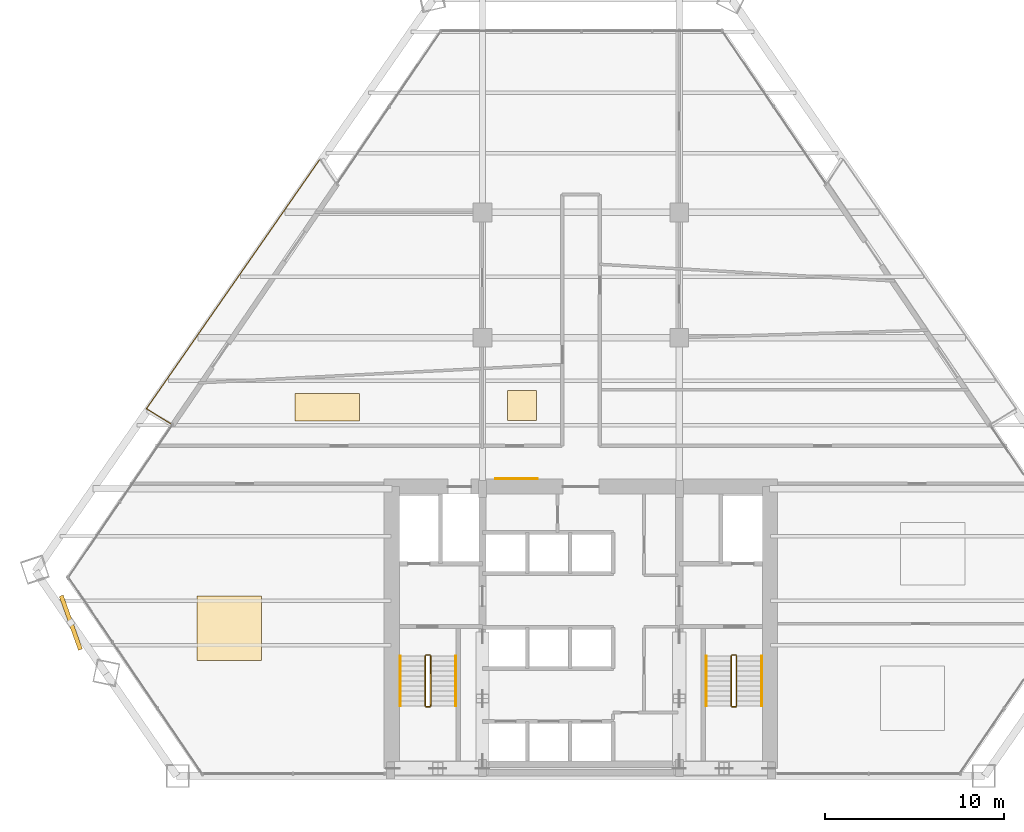
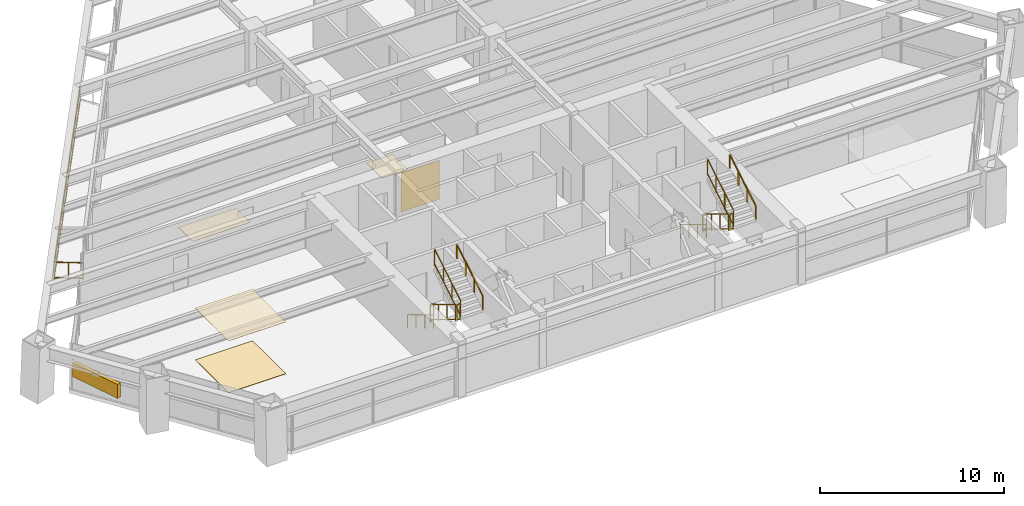
# One storey, part 13 of 14: 14 railings, 5 coverings, 1 shading device.
"""IFC4 building model written with IfcOpenShell, lengths in metres."""

from ifc_helpers import new_model, si_unit, direction, frame, origin, origin_2d, place, context, subcontext, project, spatial, rectangle, extrude, source, transform, mapped, material, layer, layer_set, type_object, type_shapes, element, save


model = new_model("IFC4")

# Units and contexts
model_context = context("Model", 3, precision=1e-05, world=origin(), true_north=direction((0.0, 1.0)))
body_context = subcontext(model_context, "Body", "Model", "MODEL_VIEW")
ifc_project = project(units=[si_unit("LENGTHUNIT", "METRE"), si_unit("AREAUNIT", "SQUARE_METRE"), si_unit("VOLUMEUNIT", "CUBIC_METRE"), si_unit("PLANEANGLEUNIT", "RADIAN"), si_unit("MASSUNIT", "GRAM", prefix="KILO")], contexts=[model_context])

# Site, building, storey
site_placement = place(None, origin())
site = spatial("IfcSite", under=ifc_project, at=site_placement, CompositionType="ELEMENT")
building_placement = place(site_placement, origin())
building = spatial("IfcBuilding", under=site, at=building_placement, Name="Varnakhor Terracotta Tower", CompositionType="ELEMENT")
storey_placement = place(building_placement, frame((0.0, 0.0, 31.199951171875)))
storey = spatial("IfcBuildingStorey", under=building, at=storey_placement, Name="L06", CompositionType="ELEMENT", Elevation=31.199951171875)

# Railings
ifc_material_1 = material(Name="Stainless Steel & Laminated Glass Guardrail", Category="steel")
railing_type_1 = type_object("IfcRailingType", Name="RLG-LOGGIA-GUARD-1150", PredefinedType="GUARDRAIL", material=ifc_material_1)
railing_1_placement = place(storey_placement, frame((-22.9326171875, 19.690185546875, 0.0)))
element("IfcRailing", 1, at=railing_1_placement, inside=storey, type_object=railing_type_1, Name="L06 W Loggia Glass Guard 1", PredefinedType="GUARDRAIL", context=body_context, shape_type="SweptSolid", body=[
    extrude(rectangle(XDim=0.048095703125, YDim=0.048095703125, at=origin_2d()), frame((0.0, 0.0, 1.1259765625), z_axis=(-0.849393262667, 0.527760443133, 0.0), x_axis=(-0.527760443133, -0.849393262667, 0.0)), (0.0, 0.0, 1.0), 1.589599609375),
    extrude(rectangle(XDim=0.048095703125, YDim=0.048095703125, at=origin_2d()), frame((0.0, 0.0, 0.10009765625), z_axis=(-0.849393262667, 0.527760443133, 0.0), x_axis=(-0.527760443133, -0.849393262667, 0.0)), (0.0, 0.0, 1.0), 1.589599609375),
    extrude(rectangle(XDim=0.0419921875, YDim=0.0419921875, at=origin_2d()), origin(), (0.0, 0.0, 1.0), 1.101806640625),
    extrude(rectangle(XDim=0.0419921875, YDim=0.0419921875, at=origin_2d()), frame((-0.675048828125, 0.41943359375, 0.0)), (0.0, 0.0, 1.0), 1.101806640625),
    extrude(rectangle(XDim=0.0419921875, YDim=0.0419921875, at=origin_2d()), frame((-1.35009765625, 0.8388671875, 0.0)), (0.0, 0.0, 1.0), 1.101806640625),
])
railing_2_placement = place(storey_placement, frame((-24.28271484375, 20.529052734375, 0.0)))
element("IfcRailing", 2, at=railing_2_placement, inside=storey, type_object=railing_type_1, Name="L06 W Loggia Glass Guard 2", PredefinedType="GUARDRAIL", context=body_context, shape_type="SweptSolid", body=[
    extrude(rectangle(XDim=0.048095703125, YDim=0.048095703125, at=origin_2d()), frame((0.0, 0.0, 1.1259765625), z_axis=(0.570859186194, 0.821047982482, 0.0), x_axis=(-0.821047982482, 0.570859186194, 0.0)), (0.0, 0.0, 1.0), 16.9697265625),
    extrude(rectangle(XDim=0.048095703125, YDim=0.048095703125, at=origin_2d()), frame((0.0, 0.0, 0.10009765625), z_axis=(0.570859186194, 0.821047982482, 0.0), x_axis=(-0.821047982482, 0.570859186194, 0.0)), (0.0, 0.0, 1.0), 16.9697265625),
    extrude(rectangle(XDim=0.0419921875, YDim=0.0419921875, at=origin_2d()), origin(), (0.0, 0.0, 1.0), 1.101806640625),
    extrude(rectangle(XDim=0.0419921875, YDim=0.0419921875, at=origin_2d()), frame((0.7451171875, 1.07177734375, 0.0)), (0.0, 0.0, 1.0), 1.101806640625),
    extrude(rectangle(XDim=0.0419921875, YDim=0.0419921875, at=origin_2d()), frame((1.490234375, 2.1435546875, 0.0)), (0.0, 0.0, 1.0), 1.101806640625),
    extrude(rectangle(XDim=0.0419921875, YDim=0.0419921875, at=origin_2d()), frame((2.235595703125, 3.21533203125, 0.0)), (0.0, 0.0, 1.0), 1.101806640625),
    extrude(rectangle(XDim=0.0419921875, YDim=0.0419921875, at=origin_2d()), frame((2.980712890625, 4.287109375, 0.0)), (0.0, 0.0, 1.0), 1.101806640625),
    extrude(rectangle(XDim=0.0419921875, YDim=0.0419921875, at=origin_2d()), frame((3.725830078125, 5.35888671875, 0.0)), (0.0, 0.0, 1.0), 1.101806640625),
    extrude(rectangle(XDim=0.0419921875, YDim=0.0419921875, at=origin_2d()), frame((4.470947265625, 6.4306640625, 0.0)), (0.0, 0.0, 1.0), 1.101806640625),
    extrude(rectangle(XDim=0.0419921875, YDim=0.0419921875, at=origin_2d()), frame((5.21630859375, 7.502197265625, 0.0)), (0.0, 0.0, 1.0), 1.101806640625),
    extrude(rectangle(XDim=0.0419921875, YDim=0.0419921875, at=origin_2d()), frame((5.96142578125, 8.573974609375, 0.0)), (0.0, 0.0, 1.0), 1.101806640625),
    extrude(rectangle(XDim=0.0419921875, YDim=0.0419921875, at=origin_2d()), frame((6.70654296875, 9.645751953125, 0.0)), (0.0, 0.0, 1.0), 1.101806640625),
    extrude(rectangle(XDim=0.0419921875, YDim=0.0419921875, at=origin_2d()), frame((7.45166015625, 10.717529296875, 0.0)), (0.0, 0.0, 1.0), 1.101806640625),
    extrude(rectangle(XDim=0.0419921875, YDim=0.0419921875, at=origin_2d()), frame((8.197021484375, 11.789306640625, 0.0)), (0.0, 0.0, 1.0), 1.101806640625),
    extrude(rectangle(XDim=0.0419921875, YDim=0.0419921875, at=origin_2d()), frame((8.942138671875, 12.861083984375, 0.0)), (0.0, 0.0, 1.0), 1.101806640625),
    extrude(rectangle(XDim=0.0419921875, YDim=0.0419921875, at=origin_2d()), frame((9.687255859375, 13.932861328125, 0.0)), (0.0, 0.0, 1.0), 1.101806640625),
])
ifc_material_2 = material(Name="Painted Steel Stairwell Guardrail", Category="steel")
railing_type_2 = type_object("IfcRailingType", Name="RLG-STAIR-GUARD-1120", PredefinedType="GUARDRAIL", material=ifc_material_2)
railing_3_placement = place(storey_placement, frame((-8.699951171875, 6.7099609375, 0.168212890625)))
element("IfcRailing", 3, at=railing_3_placement, inside=storey, type_object=railing_type_2, Name="L06 ST-1 stair guard 1", PredefinedType="GUARDRAIL", context=body_context, shape_type="SweptSolid", body=[
    extrude(rectangle(XDim=0.048095703125, YDim=0.048095703125, at=origin_2d()), frame((0.0, 0.0, 1.09619140625), z_axis=(0.0, -0.857242210791, 0.514913383045), x_axis=(1.0, 0.0, 0.0)), (0.0, 0.0, 1.0), 3.266357421875),
    extrude(rectangle(XDim=0.048095703125, YDim=0.048095703125, at=origin_2d()), frame((0.0, 0.0, 0.10009765625), z_axis=(0.0, -0.857242210791, 0.514913383045), x_axis=(1.0, 0.0, 0.0)), (0.0, 0.0, 1.0), 3.266357421875),
    extrude(rectangle(XDim=0.0419921875, YDim=0.0419921875, at=origin_2d()), origin(), (0.0, 0.0, 1.0), 1.072021484375),
    extrude(rectangle(XDim=0.0419921875, YDim=0.0419921875, at=origin_2d()), frame((0.0, -0.933349609375, 0.560546875)), (0.0, 0.0, 1.0), 1.072021484375),
    extrude(rectangle(XDim=0.0419921875, YDim=0.0419921875, at=origin_2d()), frame((0.0, -1.86669921875, 1.121337890625)), (0.0, 0.0, 1.0), 1.072021484375),
    extrude(rectangle(XDim=0.0419921875, YDim=0.0419921875, at=origin_2d()), frame((0.0, -2.800048828125, 1.681884765625)), (0.0, 0.0, 1.0), 1.072021484375),
])
railing_4_placement = place(storey_placement, frame((-8.64990234375, 3.860107421875, 1.85009765625)))
element("IfcRailing", 4, at=railing_4_placement, inside=storey, type_object=railing_type_2, Name="L06 ST-1 stair guard 2", PredefinedType="GUARDRAIL", context=body_context, shape_type="SweptSolid", body=[
    extrude(rectangle(XDim=0.048095703125, YDim=0.048095703125, at=origin_2d()), frame((0.0, 0.0, 1.09619140625), z_axis=(1.0, 0.0, 0.0), x_axis=(0.0, 1.0, 0.0)), (0.0, 0.0, 1.0), 0.199951171875),
    extrude(rectangle(XDim=0.048095703125, YDim=0.048095703125, at=origin_2d()), frame((0.0, 0.0, 0.10009765625), z_axis=(1.0, 0.0, 0.0), x_axis=(0.0, 1.0, 0.0)), (0.0, 0.0, 1.0), 0.199951171875),
    extrude(rectangle(XDim=0.0419921875, YDim=0.0419921875, at=origin_2d()), origin(), (0.0, 0.0, 1.0), 1.072021484375),
    extrude(rectangle(XDim=0.0419921875, YDim=0.0419921875, at=origin_2d()), frame((0.199951171875, 0.0, 0.0)), (0.0, 0.0, 1.0), 1.072021484375),
])
railing_5_placement = place(storey_placement, frame((-8.39990234375, 3.909912109375, 2.018310546875)))
element("IfcRailing", 5, at=railing_5_placement, inside=storey, type_object=railing_type_2, Name="L06 ST-1 stair guard 3", PredefinedType="GUARDRAIL", context=body_context, shape_type="SweptSolid", body=[
    extrude(rectangle(XDim=0.048095703125, YDim=0.048095703125, at=origin_2d()), frame((0.0, 0.0, 1.09619140625), z_axis=(0.0, 0.857275202839, 0.514858452973), x_axis=(-1.0, 0.0, 0.0)), (0.0, 0.0, 1.0), 3.26611328125),
    extrude(rectangle(XDim=0.048095703125, YDim=0.048095703125, at=origin_2d()), frame((0.0, 0.0, 0.10009765625), z_axis=(0.0, 0.857275202839, 0.514858452973), x_axis=(-1.0, 0.0, 0.0)), (0.0, 0.0, 1.0), 3.26611328125),
    extrude(rectangle(XDim=0.0419921875, YDim=0.0419921875, at=origin_2d()), origin(), (0.0, 0.0, 1.0), 1.072021484375),
    extrude(rectangle(XDim=0.0419921875, YDim=0.0419921875, at=origin_2d()), frame((0.0, 0.933349609375, 0.560546875)), (0.0, 0.0, 1.0), 1.072021484375),
    extrude(rectangle(XDim=0.0419921875, YDim=0.0419921875, at=origin_2d()), frame((0.0, 1.86669921875, 1.12109375)), (0.0, 0.0, 1.0), 1.072021484375),
    extrude(rectangle(XDim=0.0419921875, YDim=0.0419921875, at=origin_2d()), frame((0.0, 2.800048828125, 1.681640625)), (0.0, 0.0, 1.0), 1.072021484375),
])
railing_6_placement = place(storey_placement, frame((-8.64990234375, 6.760009765625, 0.0)))
element("IfcRailing", 6, at=railing_6_placement, inside=storey, type_object=railing_type_2, Name="L06 ST-1 stair guard 4", PredefinedType="GUARDRAIL", context=body_context, shape_type="SweptSolid", body=[
    extrude(rectangle(XDim=0.048095703125, YDim=0.048095703125, at=origin_2d()), frame((0.0, 0.0, 1.09619140625), z_axis=(1.0, 0.0, 0.0), x_axis=(0.0, 1.0, 0.0)), (0.0, 0.0, 1.0), 0.199951171875),
    extrude(rectangle(XDim=0.048095703125, YDim=0.048095703125, at=origin_2d()), frame((0.0, 0.0, 0.10009765625), z_axis=(1.0, 0.0, 0.0), x_axis=(0.0, 1.0, 0.0)), (0.0, 0.0, 1.0), 0.199951171875),
    extrude(rectangle(XDim=0.0419921875, YDim=0.0419921875, at=origin_2d()), origin(), (0.0, 0.0, 1.0), 1.072021484375),
    extrude(rectangle(XDim=0.0419921875, YDim=0.0419921875, at=origin_2d()), frame((0.199951171875, 0.0, 0.0)), (0.0, 0.0, 1.0), 1.072021484375),
])
railing_7_placement = place(storey_placement, frame((8.39990234375, 6.7099609375, 0.168212890625)))
element("IfcRailing", 7, at=railing_7_placement, inside=storey, type_object=railing_type_2, Name="L06 ST-2 stair guard 1", PredefinedType="GUARDRAIL", context=body_context, shape_type="SweptSolid", body=[
    extrude(rectangle(XDim=0.048095703125, YDim=0.048095703125, at=origin_2d()), frame((0.0, 0.0, 1.09619140625), z_axis=(0.0, -0.857242210791, 0.514913383045), x_axis=(1.0, 0.0, 0.0)), (0.0, 0.0, 1.0), 3.266357421875),
    extrude(rectangle(XDim=0.048095703125, YDim=0.048095703125, at=origin_2d()), frame((0.0, 0.0, 0.10009765625), z_axis=(0.0, -0.857242210791, 0.514913383045), x_axis=(1.0, 0.0, 0.0)), (0.0, 0.0, 1.0), 3.266357421875),
    extrude(rectangle(XDim=0.0419921875, YDim=0.0419921875, at=origin_2d()), origin(), (0.0, 0.0, 1.0), 1.072021484375),
    extrude(rectangle(XDim=0.0419921875, YDim=0.0419921875, at=origin_2d()), frame((0.0, -0.933349609375, 0.560546875)), (0.0, 0.0, 1.0), 1.072021484375),
    extrude(rectangle(XDim=0.0419921875, YDim=0.0419921875, at=origin_2d()), frame((0.0, -1.86669921875, 1.121337890625)), (0.0, 0.0, 1.0), 1.072021484375),
    extrude(rectangle(XDim=0.0419921875, YDim=0.0419921875, at=origin_2d()), frame((0.0, -2.800048828125, 1.681884765625)), (0.0, 0.0, 1.0), 1.072021484375),
])
railing_8_placement = place(storey_placement, frame((8.449951171875, 3.860107421875, 1.85009765625)))
element("IfcRailing", 8, at=railing_8_placement, inside=storey, type_object=railing_type_2, Name="L06 ST-2 stair guard 2", PredefinedType="GUARDRAIL", context=body_context, shape_type="SweptSolid", body=[
    extrude(rectangle(XDim=0.048095703125, YDim=0.048095703125, at=origin_2d()), frame((0.0, 0.0, 1.09619140625), z_axis=(1.0, 0.0, 0.0), x_axis=(0.0, 1.0, 0.0)), (0.0, 0.0, 1.0), 0.199951171875),
    extrude(rectangle(XDim=0.048095703125, YDim=0.048095703125, at=origin_2d()), frame((0.0, 0.0, 0.10009765625), z_axis=(1.0, 0.0, 0.0), x_axis=(0.0, 1.0, 0.0)), (0.0, 0.0, 1.0), 0.199951171875),
    extrude(rectangle(XDim=0.0419921875, YDim=0.0419921875, at=origin_2d()), origin(), (0.0, 0.0, 1.0), 1.072021484375),
    extrude(rectangle(XDim=0.0419921875, YDim=0.0419921875, at=origin_2d()), frame((0.199951171875, 0.0, 0.0)), (0.0, 0.0, 1.0), 1.072021484375),
])
railing_9_placement = place(storey_placement, frame((8.699951171875, 3.909912109375, 2.018310546875)))
element("IfcRailing", 9, at=railing_9_placement, inside=storey, type_object=railing_type_2, Name="L06 ST-2 stair guard 3", PredefinedType="GUARDRAIL", context=body_context, shape_type="SweptSolid", body=[
    extrude(rectangle(XDim=0.048095703125, YDim=0.048095703125, at=origin_2d()), frame((0.0, 0.0, 1.09619140625), z_axis=(0.0, 0.857275202839, 0.514858452973), x_axis=(-1.0, 0.0, 0.0)), (0.0, 0.0, 1.0), 3.26611328125),
    extrude(rectangle(XDim=0.048095703125, YDim=0.048095703125, at=origin_2d()), frame((0.0, 0.0, 0.10009765625), z_axis=(0.0, 0.857275202839, 0.514858452973), x_axis=(-1.0, 0.0, 0.0)), (0.0, 0.0, 1.0), 3.26611328125),
    extrude(rectangle(XDim=0.0419921875, YDim=0.0419921875, at=origin_2d()), origin(), (0.0, 0.0, 1.0), 1.072021484375),
    extrude(rectangle(XDim=0.0419921875, YDim=0.0419921875, at=origin_2d()), frame((0.0, 0.933349609375, 0.560546875)), (0.0, 0.0, 1.0), 1.072021484375),
    extrude(rectangle(XDim=0.0419921875, YDim=0.0419921875, at=origin_2d()), frame((0.0, 1.86669921875, 1.12109375)), (0.0, 0.0, 1.0), 1.072021484375),
    extrude(rectangle(XDim=0.0419921875, YDim=0.0419921875, at=origin_2d()), frame((0.0, 2.800048828125, 1.681640625)), (0.0, 0.0, 1.0), 1.072021484375),
])
railing_10_placement = place(storey_placement, frame((8.449951171875, 6.760009765625, 0.0)))
element("IfcRailing", 10, at=railing_10_placement, inside=storey, type_object=railing_type_2, Name="L06 ST-2 stair guard 4", PredefinedType="GUARDRAIL", context=body_context, shape_type="SweptSolid", body=[
    extrude(rectangle(XDim=0.048095703125, YDim=0.048095703125, at=origin_2d()), frame((0.0, 0.0, 1.09619140625), z_axis=(1.0, 0.0, 0.0), x_axis=(0.0, 1.0, 0.0)), (0.0, 0.0, 1.0), 0.199951171875),
    extrude(rectangle(XDim=0.048095703125, YDim=0.048095703125, at=origin_2d()), frame((0.0, 0.0, 0.10009765625), z_axis=(1.0, 0.0, 0.0), x_axis=(0.0, 1.0, 0.0)), (0.0, 0.0, 1.0), 0.199951171875),
    extrude(rectangle(XDim=0.0419921875, YDim=0.0419921875, at=origin_2d()), origin(), (0.0, 0.0, 1.0), 1.072021484375),
    extrude(rectangle(XDim=0.0419921875, YDim=0.0419921875, at=origin_2d()), frame((0.199951171875, 0.0, 0.0)), (0.0, 0.0, 1.0), 1.072021484375),
])
ifc_material_3 = material(Name="Brushed Stainless Steel Handrail", Category="steel")
railing_type_3 = type_object("IfcRailingType", Name="RLG-STAIR-HANDRAIL-920", PredefinedType="HANDRAIL", material=ifc_material_3)
railing_11_placement = place(storey_placement, frame((-10.10009765625, 6.7099609375, 0.168212890625)))
element("IfcRailing", 11, at=railing_11_placement, inside=storey, type_object=railing_type_3, Name="L06 ST-1 stair handrail 1", PredefinedType="HANDRAIL", context=body_context, shape_type="SweptSolid", body=[
    extrude(rectangle(XDim=0.048095703125, YDim=0.048095703125, at=origin_2d()), frame((0.0, 0.0, 0.89599609375), z_axis=(0.0, -0.857242210791, 0.514913383045), x_axis=(1.0, 0.0, 0.0)), (0.0, 0.0, 1.0), 3.266357421875),
    extrude(rectangle(XDim=0.0419921875, YDim=0.0419921875, at=origin_2d()), origin(), (0.0, 0.0, 1.0), 0.871826171875),
    extrude(rectangle(XDim=0.0419921875, YDim=0.0419921875, at=origin_2d()), frame((0.0, -0.933349609375, 0.560546875)), (0.0, 0.0, 1.0), 0.871826171875),
    extrude(rectangle(XDim=0.0419921875, YDim=0.0419921875, at=origin_2d()), frame((0.0, -1.86669921875, 1.121337890625)), (0.0, 0.0, 1.0), 0.871826171875),
    extrude(rectangle(XDim=0.0419921875, YDim=0.0419921875, at=origin_2d()), frame((0.0, -2.800048828125, 1.681884765625)), (0.0, 0.0, 1.0), 0.871826171875),
])
railing_12_placement = place(storey_placement, frame((-7.0, 3.909912109375, 2.018310546875)))
element("IfcRailing", 12, at=railing_12_placement, inside=storey, type_object=railing_type_3, Name="L06 ST-1 stair handrail 2", PredefinedType="HANDRAIL", context=body_context, shape_type="SweptSolid", body=[
    extrude(rectangle(XDim=0.048095703125, YDim=0.048095703125, at=origin_2d()), frame((0.0, 0.0, 0.89599609375), z_axis=(0.0, 0.857275202839, 0.514858452973), x_axis=(-1.0, 0.0, 0.0)), (0.0, 0.0, 1.0), 3.26611328125),
    extrude(rectangle(XDim=0.0419921875, YDim=0.0419921875, at=origin_2d()), origin(), (0.0, 0.0, 1.0), 0.871826171875),
    extrude(rectangle(XDim=0.0419921875, YDim=0.0419921875, at=origin_2d()), frame((0.0, 0.933349609375, 0.560546875)), (0.0, 0.0, 1.0), 0.871826171875),
    extrude(rectangle(XDim=0.0419921875, YDim=0.0419921875, at=origin_2d()), frame((0.0, 1.86669921875, 1.12109375)), (0.0, 0.0, 1.0), 0.871826171875),
    extrude(rectangle(XDim=0.0419921875, YDim=0.0419921875, at=origin_2d()), frame((0.0, 2.800048828125, 1.681640625)), (0.0, 0.0, 1.0), 0.871826171875),
])
railing_13_placement = place(storey_placement, frame((7.0, 6.7099609375, 0.168212890625)))
element("IfcRailing", 13, at=railing_13_placement, inside=storey, type_object=railing_type_3, Name="L06 ST-2 stair handrail 1", PredefinedType="HANDRAIL", context=body_context, shape_type="SweptSolid", body=[
    extrude(rectangle(XDim=0.048095703125, YDim=0.048095703125, at=origin_2d()), frame((0.0, 0.0, 0.89599609375), z_axis=(0.0, -0.857242210791, 0.514913383045), x_axis=(1.0, 0.0, 0.0)), (0.0, 0.0, 1.0), 3.266357421875),
    extrude(rectangle(XDim=0.0419921875, YDim=0.0419921875, at=origin_2d()), origin(), (0.0, 0.0, 1.0), 0.871826171875),
    extrude(rectangle(XDim=0.0419921875, YDim=0.0419921875, at=origin_2d()), frame((0.0, -0.933349609375, 0.560546875)), (0.0, 0.0, 1.0), 0.871826171875),
    extrude(rectangle(XDim=0.0419921875, YDim=0.0419921875, at=origin_2d()), frame((0.0, -1.86669921875, 1.121337890625)), (0.0, 0.0, 1.0), 0.871826171875),
    extrude(rectangle(XDim=0.0419921875, YDim=0.0419921875, at=origin_2d()), frame((0.0, -2.800048828125, 1.681884765625)), (0.0, 0.0, 1.0), 0.871826171875),
])
railing_14_placement = place(storey_placement, frame((10.10009765625, 3.909912109375, 2.018310546875)))
element("IfcRailing", 14, at=railing_14_placement, inside=storey, type_object=railing_type_3, Name="L06 ST-2 stair handrail 2", PredefinedType="HANDRAIL", context=body_context, shape_type="SweptSolid", body=[
    extrude(rectangle(XDim=0.048095703125, YDim=0.048095703125, at=origin_2d()), frame((0.0, 0.0, 0.89599609375), z_axis=(0.0, 0.857275202839, 0.514858452973), x_axis=(-1.0, 0.0, 0.0)), (0.0, 0.0, 1.0), 3.26611328125),
    extrude(rectangle(XDim=0.0419921875, YDim=0.0419921875, at=origin_2d()), origin(), (0.0, 0.0, 1.0), 0.871826171875),
    extrude(rectangle(XDim=0.0419921875, YDim=0.0419921875, at=origin_2d()), frame((0.0, 0.933349609375, 0.560546875)), (0.0, 0.0, 1.0), 0.871826171875),
    extrude(rectangle(XDim=0.0419921875, YDim=0.0419921875, at=origin_2d()), frame((0.0, 1.86669921875, 1.12109375)), (0.0, 0.0, 1.0), 0.871826171875),
    extrude(rectangle(XDim=0.0419921875, YDim=0.0419921875, at=origin_2d()), frame((0.0, 2.800048828125, 1.681640625)), (0.0, 0.0, 1.0), 0.871826171875),
])

# Shading device
ifc_material_4 = material(Name="Extruded Architectural Terracotta Screen", Category="masonry")
shading_device_type = type_object("IfcShadingDeviceType", Name="TERRACOTTA SOLAR SCREEN W", PredefinedType="USERDEFINED", material=ifc_material_4)
shared_shape_1 = source(origin(), body_context, "Body", "SweptSolid", [
    extrude(rectangle(XDim=3.199951171875, YDim=0.239990234375, at=origin_2d()), origin(), (0.0, 0.0, 1.0), 0.919921875),
])
type_shapes(shading_device_type, [shared_shape_1])
shading_device_placement = place(storey_placement, frame((-28.511962890625, 8.56689453125, 1.6181640625), z_axis=(0.0, 0.0, 1.0), x_axis=(0.336306415703, -0.941752618662, 0.0)))
element("IfcShadingDevice", 15, at=shading_device_placement, inside=storey, type_object=shading_device_type, Name="L06 W Terracotta Solar Screen", ObjectType="SCREEN", PredefinedType="USERDEFINED", context=body_context, shape_type="MappedRepresentation", body=[
    mapped(shared_shape_1, transform((0.0, 0.0, 0.0), scale=1.0)),
])

# Coverings
ifc_material_5 = material(Name="Extruded Architectural Terracotta Cladding", Category="masonry")
ifc_layer_1 = layer(ifc_material_5, 0.044921875, Name="Extruded Architectural Terracotta Cladding")
ifc_layer_set_1 = layer_set([ifc_layer_1], Name="Extruded Architectural Terracotta Cladding")
covering_type_1 = type_object("IfcCoveringType", Name="COV-CLAD-TERRACOTTA", PredefinedType="CLADDING", material=ifc_layer_set_1)
shared_shape_2 = source(origin(), body_context, "Body", "SweptSolid", [
    extrude(rectangle(XDim=2.39990234375, YDim=0.030029296875, at=origin_2d()), origin(), (0.0, 0.0, 1.0), 2.60009765625),
])
type_shapes(covering_type_1, [shared_shape_2])
covering_1_placement = place(storey_placement, frame((-3.60009765625, 16.612060546875, 0.0), z_axis=(0.0, 0.0, 1.0), x_axis=(1.0, 0.0, 0.0)))
element("IfcCovering", 16, at=covering_1_placement, inside=storey, type_object=covering_type_1, Name="L06 Core Lobby Limestone Cladding", PredefinedType="CLADDING", context=body_context, shape_type="MappedRepresentation", body=[
    mapped(shared_shape_2, transform((0.0, 0.0, 0.0), scale=1.0)),
])
ifc_material_6 = material(Name="Honed Riyadh Limestone Flooring", Category="masonry")
ifc_layer_2 = layer(ifc_material_6, 0.030029296875, Name="Honed Riyadh Limestone Flooring")
ifc_layer_set_2 = layer_set([ifc_layer_2], Name="Honed Riyadh Limestone Flooring")
covering_type_2 = type_object("IfcCoveringType", Name="COV-FLOOR-LIMESTONE", PredefinedType="FLOORING", material=ifc_layer_set_2)
shared_shape_3 = source(origin(), body_context, "Body", "SweptSolid", [
    extrude(rectangle(XDim=3.60009765625, YDim=3.60009765625, at=origin_2d()), origin(), (0.0, 0.0, 1.0), 0.02001953125),
])
covering_2_placement = place(storey_placement, frame((-19.666015625, 8.26611328125, 0.0), z_axis=(0.0, 0.0, 1.0), x_axis=(1.0, 0.0, 0.0)))
element("IfcCovering", 17, at=covering_2_placement, inside=storey, type_object=covering_type_2, Name="L06 Honed Stone Flooring 2", PredefinedType="FLOORING", context=body_context, shape_type="MappedRepresentation", body=[
    mapped(shared_shape_3, transform((0.0, 0.0, 0.0), scale=1.0)),
])
ifc_material_7 = material(Name="Perforated Acoustic Mineral-Fibre Ceiling", Category="gypsum")
ifc_layer_3 = layer(ifc_material_7, 0.02490234375, Name="Perforated Acoustic Mineral-Fibre Ceiling")
ifc_layer_set_3 = layer_set([ifc_layer_3], Name="Perforated Acoustic Mineral-Fibre Ceiling")
covering_type_3 = type_object("IfcCoveringType", Name="COV-CEILING-ACOUSTIC", PredefinedType="CEILING", material=ifc_layer_set_3)
shared_shape_4 = source(origin(), body_context, "Body", "SweptSolid", [
    extrude(rectangle(XDim=3.60009765625, YDim=3.60009765625, at=origin_2d()), origin(), (0.0, 0.0, 1.0), 0.02392578125),
])
covering_3_placement = place(storey_placement, frame((-19.666015625, 8.26611328125, 3.426025390625), z_axis=(0.0, 0.0, 1.0), x_axis=(1.0, 0.0, 0.0)))
element("IfcCovering", 18, at=covering_3_placement, inside=storey, type_object=covering_type_3, Name="L06 Acoustic Ceiling Panel 2", PredefinedType="CEILING", context=body_context, shape_type="MappedRepresentation", body=[
    mapped(shared_shape_4, transform((0.0, 0.0, 0.0), scale=1.0)),
])
shared_shape_5 = source(origin(), body_context, "Body", "SweptSolid", [
    extrude(rectangle(XDim=3.60009765625, YDim=1.547119140625, at=origin_2d()), origin(), (0.0, 0.0, 1.0), 0.02001953125),
])
covering_4_placement = place(storey_placement, frame((-14.18408203125, 20.60498046875, 0.0), z_axis=(0.0, 0.0, 1.0), x_axis=(1.0, 0.0, 0.0)))
element("IfcCovering", 19, at=covering_4_placement, inside=storey, type_object=covering_type_2, Name="L06 Honed Stone Flooring 4", PredefinedType="FLOORING", context=body_context, shape_type="MappedRepresentation", body=[
    mapped(shared_shape_5, transform((0.0, 0.0, 0.0), scale=1.0)),
])
shared_shape_6 = source(origin(), body_context, "Body", "SweptSolid", [
    extrude(rectangle(XDim=1.636962890625, YDim=1.669921875, at=origin_2d()), origin(), (0.0, 0.0, 1.0), 0.02001953125),
])
covering_5_placement = place(storey_placement, frame((-3.285888671875, 20.717041015625, 0.0), z_axis=(0.0, 0.0, 1.0), x_axis=(1.0, 0.0, 0.0)))
element("IfcCovering", 20, at=covering_5_placement, inside=storey, type_object=covering_type_2, Name="L06 Honed Stone Flooring 5", PredefinedType="FLOORING", context=body_context, shape_type="MappedRepresentation", body=[
    mapped(shared_shape_6, transform((0.0, 0.0, 0.0), scale=1.0)),
])

save(model, "model.ifc")
